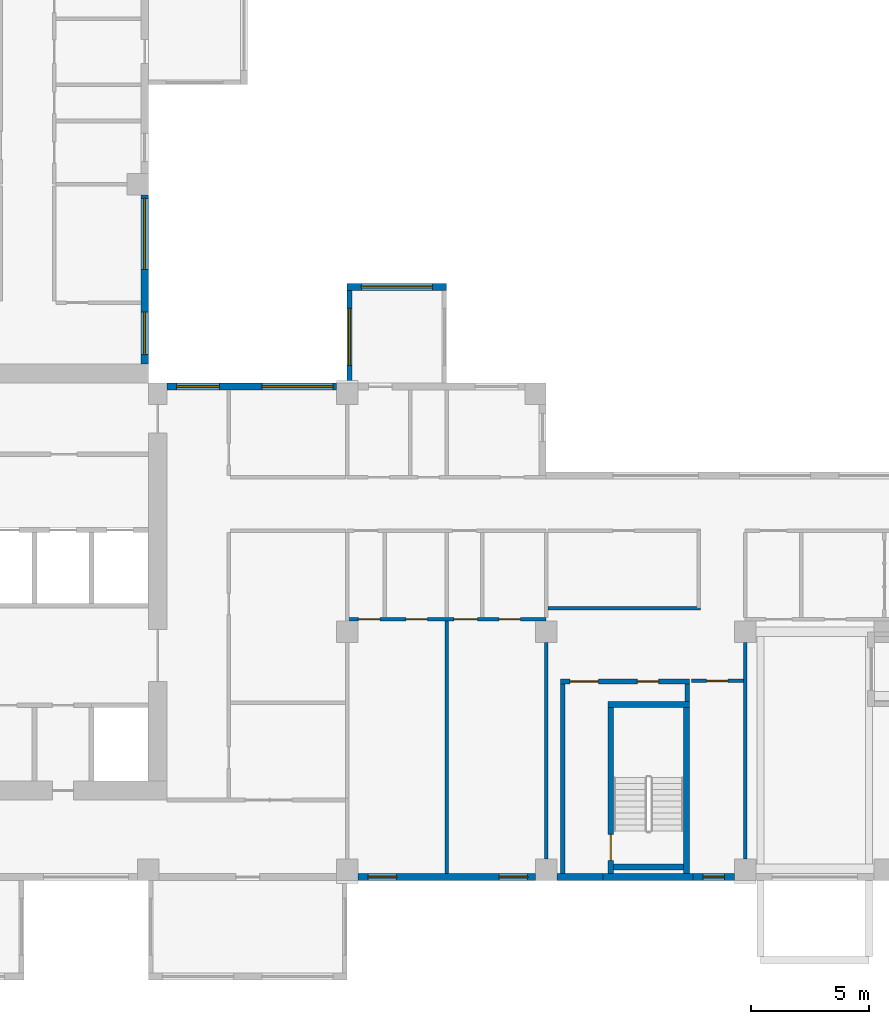
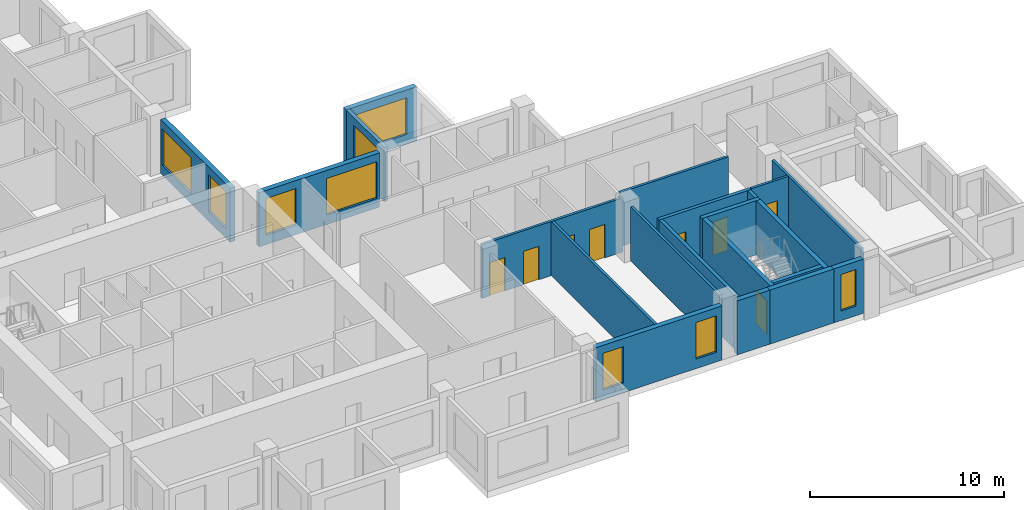
# One storey, part 4 of 12: 21 walls, 9 windows, 8 doors, 17 openings.
"""IFC4 building model written with IfcOpenShell, lengths in metres."""

from ifc_helpers import new_model, si_unit, direction, frame, frame_2d, origin, place, context, subcontext, project, spatial, rectangle, extrude, source, transform, mapped, material, layer, layer_set, type_object, element, fill, save


model = new_model("IFC4")

# Units and contexts
model_context = context("Model", 3, precision=1e-05, world=origin(), true_north=direction((0.0, 1.0)))
body_context = subcontext(model_context, "Body", "Model", "MODEL_VIEW")
ifc_project = project(units=[si_unit("LENGTHUNIT", "METRE"), si_unit("AREAUNIT", "SQUARE_METRE"), si_unit("VOLUMEUNIT", "CUBIC_METRE"), si_unit("PLANEANGLEUNIT", "RADIAN"), si_unit("MASSUNIT", "GRAM", prefix="KILO")], contexts=[model_context])

# Site, building, storey
site_placement = place(None, origin())
site = spatial("IfcSite", under=ifc_project, at=site_placement, CompositionType="ELEMENT")
building_placement = place(site_placement, origin())
building = spatial("IfcBuilding", under=site, at=building_placement, Name="Aurelian Terraces", CompositionType="ELEMENT")
storey_placement = place(building_placement, frame((0.0, 0.0, 219.6)))
storey = spatial("IfcBuildingStorey", under=building, at=storey_placement, Name="L49", CompositionType="ELEMENT", Elevation=219.6)

# Wall, openings, windows
ifc_material_1 = material(Name="Terracotta rainscreen cladding", Category="masonry")
ifc_layer_1 = layer(ifc_material_1, 0.3)
ifc_layer_set_1 = layer_set([ifc_layer_1], Name="EW-300")
wall_type_1 = type_object("IfcWallType", Name="EW-300", PredefinedType="STANDARD", material=ifc_layer_set_1)
shared_shape_1 = source(origin(), body_context, "Body", "SweptSolid", [
    extrude(rectangle(XDim=7.15, YDim=0.3, at=frame_2d((3.575, 0.0))), origin(), (0.0, 0.0, 1.0), 3.4),
])
wall_1_placement = place(storey_placement, frame((28.95, 20.85, 0.0), z_axis=(0.0, 0.0, 1.0), x_axis=(-1.0, 0.0, 0.0)))
wall_1 = element("IfcWall", 1, at=wall_1_placement, inside=storey, type_object=wall_type_1, Name="External wall L49 F07.16", PredefinedType="STANDARD", context=body_context, shape_type="MappedRepresentation", body=[
    mapped(shared_shape_1, transform((0.0, 0.0, 0.0), scale=1.0)),
])
shared_shape_2 = source(origin(), body_context, "Body", "SweptSolid", [
    extrude(rectangle(XDim=3.0, YDim=2.3, at=frame_2d((1.5, 1.15))), frame((0.0, 0.16, 0.0), z_axis=(0.0, -1.0, 0.0), x_axis=(1.0, 0.0, 0.0)), (0.0, 0.0, 1.0), 0.32),
])
opening_1_placement = place(wall_1_placement, frame((0.15, 0.0, 0.6)))
opening_1 = element("IfcOpeningElement", 2, at=opening_1_placement, cuts=wall_1, Name="Opening W3023", PredefinedType="OPENING", context=body_context, shape_type="MappedRepresentation", body=[
    mapped(shared_shape_2, transform((0.0, 0.0, 0.0), scale=1.0)),
])
shared_shape_3 = source(origin(), body_context, "Body", "SweptSolid", [
    extrude(rectangle(XDim=1.8, YDim=2.3, at=frame_2d((0.9, 1.15))), frame((0.0, 0.16, 0.0), z_axis=(0.0, -1.0, 0.0), x_axis=(1.0, 0.0, 0.0)), (0.0, 0.0, 1.0), 0.32),
])
opening_2_placement = place(wall_1_placement, frame((4.95, 0.0, 0.6)))
opening_2 = element("IfcOpeningElement", 3, at=opening_2_placement, cuts=wall_1, Name="Opening W1823", PredefinedType="OPENING", context=body_context, shape_type="MappedRepresentation", body=[
    mapped(shared_shape_3, transform((0.0, 0.0, 0.0), scale=1.0)),
])
ifc_material_2 = material(Name="Clear glazing", Category="glass")
window_type_1 = type_object("IfcWindowType", Name="W-3000x2300", PartitioningType="SINGLE_PANEL", PredefinedType="WINDOW", material=ifc_material_2)
shared_shape_4 = source(origin(), body_context, "Body", "SweptSolid", [
    extrude(rectangle(XDim=3.0, YDim=2.3, at=frame_2d((1.5, 1.15))), frame((0.0, 0.03, 0.0), z_axis=(0.0, -1.0, 0.0), x_axis=(1.0, 0.0, 0.0)), (0.0, 0.0, 1.0), 0.06),
])
window_1_placement = place(opening_1_placement, origin())
window_1 = element("IfcWindow", 4, at=window_1_placement, inside=storey, type_object=window_type_1, Name="Window L49 L49-F07-16-0", OverallHeight=2.3, OverallWidth=3.0, PartitioningType="SINGLE_PANEL", PredefinedType="WINDOW", context=body_context, shape_type="MappedRepresentation", body=[
    mapped(shared_shape_4, transform((0.0, 0.0, 0.0), scale=1.0)),
])
fill(opening_1, window_1)
window_type_2 = type_object("IfcWindowType", Name="W-1800x2300", PartitioningType="SINGLE_PANEL", PredefinedType="WINDOW", material=ifc_material_2)
shared_shape_5 = source(origin(), body_context, "Body", "SweptSolid", [
    extrude(rectangle(XDim=1.8, YDim=2.3, at=frame_2d((0.9, 1.15))), frame((0.0, 0.03, 0.0), z_axis=(0.0, -1.0, 0.0), x_axis=(1.0, 0.0, 0.0)), (0.0, 0.0, 1.0), 0.06),
])
window_2_placement = place(opening_2_placement, origin())
window_2 = element("IfcWindow", 5, at=window_2_placement, inside=storey, type_object=window_type_2, Name="Window L49 L49-F07-16-1", OverallHeight=2.3, OverallWidth=1.8, PartitioningType="SINGLE_PANEL", PredefinedType="WINDOW", context=body_context, shape_type="MappedRepresentation", body=[
    mapped(shared_shape_5, transform((0.0, 0.0, 0.0), scale=1.0)),
])
fill(opening_2, window_2)

wall_2_placement = place(storey_placement, frame((20.85, 21.8, 0.0), z_axis=(0.0, 0.0, 1.0), x_axis=(0.0, 1.0, 0.0)))
wall_2 = element("IfcWall", 6, at=wall_2_placement, inside=storey, type_object=wall_type_1, Name="External wall L49 F08.17", PredefinedType="STANDARD", context=body_context, shape_type="MappedRepresentation", body=[
    mapped(shared_shape_1, transform((0.0, 0.0, 0.0), scale=1.0)),
])
opening_3_placement = place(wall_2_placement, frame((0.4, 0.0, 0.6)))
opening_3 = element("IfcOpeningElement", 7, at=opening_3_placement, cuts=wall_2, Name="Opening W1823", PredefinedType="OPENING", context=body_context, shape_type="MappedRepresentation", body=[
    mapped(shared_shape_3, transform((0.0, 0.0, 0.0), scale=1.0)),
])
opening_4_placement = place(wall_2_placement, frame((4.0, 0.0, 0.6)))
opening_4 = element("IfcOpeningElement", 8, at=opening_4_placement, cuts=wall_2, Name="Opening W3023", PredefinedType="OPENING", context=body_context, shape_type="MappedRepresentation", body=[
    mapped(shared_shape_2, transform((0.0, 0.0, 0.0), scale=1.0)),
])
window_3_placement = place(opening_4_placement, origin())
window_3 = element("IfcWindow", 9, at=window_3_placement, inside=storey, type_object=window_type_1, Name="Window L49 L49-F08-17-1", OverallHeight=2.3, OverallWidth=3.0, PartitioningType="SINGLE_PANEL", PredefinedType="WINDOW", context=body_context, shape_type="MappedRepresentation", body=[
    mapped(shared_shape_4, transform((0.0, 0.0, 0.0), scale=1.0)),
])
fill(opening_4, window_3)
window_4_placement = place(opening_3_placement, origin())
window_4 = element("IfcWindow", 10, at=window_4_placement, inside=storey, type_object=window_type_2, Name="Window L49 L49-F08-17-0", OverallHeight=2.3, OverallWidth=1.8, PartitioningType="SINGLE_PANEL", PredefinedType="WINDOW", context=body_context, shape_type="MappedRepresentation", body=[
    mapped(shared_shape_5, transform((0.0, 0.0, 0.0), scale=1.0)),
])
fill(opening_3, window_4)

shared_shape_6 = source(origin(), body_context, "Body", "SweptSolid", [
    extrude(rectangle(XDim=7.5, YDim=0.3, at=frame_2d((3.75, 0.0))), origin(), (0.0, 0.0, 1.0), 3.4),
])
wall_3_placement = place(storey_placement, frame((29.85, 0.15, 0.0), z_axis=(0.0, 0.0, 1.0), x_axis=(1.0, 0.0, 0.0)))
wall_3 = element("IfcWall", 11, at=wall_3_placement, inside=storey, type_object=wall_type_1, Name="External wall L49 F01.4", PredefinedType="STANDARD", context=body_context, shape_type="MappedRepresentation", body=[
    mapped(shared_shape_6, transform((0.0, 0.0, 0.0), scale=1.0)),
])
shared_shape_7 = source(origin(), body_context, "Body", "SweptSolid", [
    extrude(rectangle(XDim=1.2, YDim=2.3, at=frame_2d((0.6, 1.15))), frame((0.0, 0.16, 0.0), z_axis=(0.0, -1.0, 0.0), x_axis=(1.0, 0.0, 0.0)), (0.0, 0.0, 1.0), 0.32),
])
opening_5_placement = place(wall_3_placement, frame((0.4375, 0.0, 0.6)))
opening_5 = element("IfcOpeningElement", 12, at=opening_5_placement, cuts=wall_3, Name="Opening W1223", PredefinedType="OPENING", context=body_context, shape_type="MappedRepresentation", body=[
    mapped(shared_shape_7, transform((0.0, 0.0, 0.0), scale=1.0)),
])
opening_6_placement = place(wall_3_placement, frame((5.9625, 0.0, 0.6)))
opening_6 = element("IfcOpeningElement", 13, at=opening_6_placement, cuts=wall_3, Name="Opening W1223", PredefinedType="OPENING", context=body_context, shape_type="MappedRepresentation", body=[
    mapped(shared_shape_7, transform((0.0, 0.0, 0.0), scale=1.0)),
])
window_type_3 = type_object("IfcWindowType", Name="W-1200x2300", PartitioningType="SINGLE_PANEL", PredefinedType="WINDOW", material=ifc_material_2)
shared_shape_8 = source(origin(), body_context, "Body", "SweptSolid", [
    extrude(rectangle(XDim=1.2, YDim=2.3, at=frame_2d((0.6, 1.15))), frame((0.0, 0.03, 0.0), z_axis=(0.0, -1.0, 0.0), x_axis=(1.0, 0.0, 0.0)), (0.0, 0.0, 1.0), 0.06),
])
window_5_placement = place(opening_5_placement, origin())
window_5 = element("IfcWindow", 14, at=window_5_placement, inside=storey, type_object=window_type_3, Name="Window L49 L49-F01-04-0", OverallHeight=2.3, OverallWidth=1.2, PartitioningType="SINGLE_PANEL", PredefinedType="WINDOW", context=body_context, shape_type="MappedRepresentation", body=[
    mapped(shared_shape_8, transform((0.0, 0.0, 0.0), scale=1.0)),
])
fill(opening_5, window_5)
window_6_placement = place(opening_6_placement, origin())
window_6 = element("IfcWindow", 15, at=window_6_placement, inside=storey, type_object=window_type_3, Name="Window L49 L49-F01-04-1", OverallHeight=2.3, OverallWidth=1.2, PartitioningType="SINGLE_PANEL", PredefinedType="WINDOW", context=body_context, shape_type="MappedRepresentation", body=[
    mapped(shared_shape_8, transform((0.0, 0.0, 0.0), scale=1.0)),
])
fill(opening_6, window_6)

# Wall, opening, window
ifc_material_3 = material(Name="Concrete fc' 40 MPa", Category="concrete")
ifc_layer_2 = layer(ifc_material_3, 0.2)
ifc_layer_set_2 = layer_set([ifc_layer_2], Name="BOX BEARING WALL 200")
wall_type_2 = type_object("IfcWallType", Name="BOX BEARING WALL 200", PredefinedType="SOLIDWALL", material=ifc_layer_set_2)
shared_shape_9 = source(origin(), body_context, "Body", "SweptSolid", [
    extrude(rectangle(XDim=3.9, YDim=0.2, at=frame_2d((1.95, 0.0))), origin(), (0.0, 0.0, 1.0), 3.4),
])
wall_4_placement = place(storey_placement, frame((29.5, 21.0, 0.0), z_axis=(0.0, 0.0, 1.0), x_axis=(0.0, 1.0, 0.0)))
wall_4 = element("IfcWall", 16, at=wall_4_placement, inside=storey, type_object=wall_type_2, Name="Box return L49 J69.2", PredefinedType="SOLIDWALL", context=body_context, shape_type="MappedRepresentation", body=[
    mapped(shared_shape_9, transform((0.0, 0.0, 0.0), scale=1.0)),
])
shared_shape_10 = source(origin(), body_context, "Body", "SweptSolid", [
    extrude(rectangle(XDim=2.4, YDim=2.3, at=frame_2d((1.2, 1.15))), frame((0.0, 0.11, 0.0), z_axis=(0.0, -1.0, 0.0), x_axis=(1.0, 0.0, 0.0)), (0.0, 0.0, 1.0), 0.22),
])
opening_7_placement = place(wall_4_placement, frame((0.75, 0.0, 0.6)))
opening_7 = element("IfcOpeningElement", 17, at=opening_7_placement, cuts=wall_4, Name="Opening W2423", PredefinedType="OPENING", context=body_context, shape_type="MappedRepresentation", body=[
    mapped(shared_shape_10, transform((0.0, 0.0, 0.0), scale=1.0)),
])
window_type_4 = type_object("IfcWindowType", Name="W-2400x2300", PartitioningType="SINGLE_PANEL", PredefinedType="WINDOW", material=ifc_material_2)
shared_shape_11 = source(origin(), body_context, "Body", "SweptSolid", [
    extrude(rectangle(XDim=2.4, YDim=2.3, at=frame_2d((1.2, 1.15))), frame((0.0, 0.03, 0.0), z_axis=(0.0, -1.0, 0.0), x_axis=(1.0, 0.0, 0.0)), (0.0, 0.0, 1.0), 0.06),
])
window_7_placement = place(opening_7_placement, origin())
window_7 = element("IfcWindow", 18, at=window_7_placement, inside=storey, type_object=window_type_4, Name="Window L49 J69-S2", OverallHeight=2.3, OverallWidth=2.4, PartitioningType="SINGLE_PANEL", PredefinedType="WINDOW", context=body_context, shape_type="MappedRepresentation", body=[
    mapped(shared_shape_11, transform((0.0, 0.0, 0.0), scale=1.0)),
])
fill(opening_7, window_7)

ifc_layer_3 = layer(ifc_material_3, 0.3)
ifc_layer_set_3 = layer_set([ifc_layer_3], Name="BOX BEARING WALL 300")
wall_type_3 = type_object("IfcWallType", Name="BOX BEARING WALL 300", PredefinedType="SOLIDWALL", material=ifc_layer_set_3)
shared_shape_12 = source(origin(), body_context, "Body", "SweptSolid", [
    extrude(rectangle(XDim=4.2, YDim=0.3, at=frame_2d((2.1, 0.0))), origin(), (0.0, 0.0, 1.0), 3.4),
])
wall_5_placement = place(storey_placement, frame((33.6, 25.05, 0.0), z_axis=(0.0, 0.0, 1.0), x_axis=(-1.0, 0.0, 0.0)))
wall_5 = element("IfcWall", 19, at=wall_5_placement, inside=storey, type_object=wall_type_3, Name="Box wall L49 J69", PredefinedType="SOLIDWALL", context=body_context, shape_type="MappedRepresentation", body=[
    mapped(shared_shape_12, transform((0.0, 0.0, 0.0), scale=1.0)),
])
opening_8_placement = place(wall_5_placement, frame((0.6, 0.0, 0.6)))
opening_8 = element("IfcOpeningElement", 20, at=opening_8_placement, cuts=wall_5, Name="Opening W3023", PredefinedType="OPENING", context=body_context, shape_type="MappedRepresentation", body=[
    mapped(shared_shape_2, transform((0.0, 0.0, 0.0), scale=1.0)),
])
window_8_placement = place(opening_8_placement, origin())
window_8 = element("IfcWindow", 21, at=window_8_placement, inside=storey, type_object=window_type_1, Name="Window L49 J69-F1", OverallHeight=2.3, OverallWidth=3.0, PartitioningType="SINGLE_PANEL", PredefinedType="WINDOW", context=body_context, shape_type="MappedRepresentation", body=[
    mapped(shared_shape_4, transform((0.0, 0.0, 0.0), scale=1.0)),
])
fill(opening_8, window_8)

# Walls
shared_shape_13 = source(origin(), body_context, "Body", "SweptSolid", [
    extrude(rectangle(XDim=1.95, YDim=0.3, at=frame_2d((0.975, 0.0))), origin(), (0.0, 0.0, 1.0), 3.4),
])
wall_6_placement = place(storey_placement, frame((38.25, 0.15, 0.0), z_axis=(0.0, 0.0, 1.0), x_axis=(1.0, 0.0, 0.0)))
element("IfcWall", 22, at=wall_6_placement, inside=storey, type_object=wall_type_1, Name="External wall L49 F01.5", PredefinedType="STANDARD", context=body_context, shape_type="MappedRepresentation", body=[
    mapped(shared_shape_13, transform((0.0, 0.0, 0.0), scale=1.0)),
])
ifc_layer_4 = layer(ifc_material_3, 0.3)
ifc_layer_set_4 = layer_set([ifc_layer_4], Name="STAIR BAY WALL 300")
wall_type_4 = type_object("IfcWallType", Name="STAIR BAY WALL 300", PredefinedType="SOLIDWALL", material=ifc_layer_set_4)
shared_shape_14 = source(origin(), body_context, "Body", "SweptSolid", [
    extrude(rectangle(XDim=3.8, YDim=0.3, at=frame_2d((1.9, 0.0))), origin(), (0.0, 0.0, 1.0), 3.4),
])
wall_7_placement = place(storey_placement, frame((40.2, 0.15, 0.0), z_axis=(0.0, 0.0, 1.0), x_axis=(1.0, 0.0, 0.0)))
element("IfcWall", 23, at=wall_7_placement, inside=storey, type_object=wall_type_4, Name="Stair bay wall L49 F01.5", PredefinedType="SOLIDWALL", context=body_context, shape_type="MappedRepresentation", body=[
    mapped(shared_shape_14, transform((0.0, 0.0, 0.0), scale=1.0)),
])

# Wall, opening, window
shared_shape_15 = source(origin(), body_context, "Body", "SweptSolid", [
    extrude(rectangle(XDim=1.75, YDim=0.3, at=frame_2d((0.875, 0.0))), origin(), (0.0, 0.0, 1.0), 3.4),
])
wall_8_placement = place(storey_placement, frame((44.0, 0.15, 0.0), z_axis=(0.0, 0.0, 1.0), x_axis=(1.0, 0.0, 0.0)))
wall_8 = element("IfcWall", 24, at=wall_8_placement, inside=storey, type_object=wall_type_1, Name="External wall L49 F01.5", PredefinedType="STANDARD", context=body_context, shape_type="MappedRepresentation", body=[
    mapped(shared_shape_15, transform((0.0, 0.0, 0.0), scale=1.0)),
])
shared_shape_16 = source(origin(), body_context, "Body", "SweptSolid", [
    extrude(rectangle(XDim=0.9, YDim=2.3, at=frame_2d((0.45, 1.15))), frame((0.0, 0.16, 0.0), z_axis=(0.0, -1.0, 0.0), x_axis=(1.0, 0.0, 0.0)), (0.0, 0.0, 1.0), 0.32),
])
opening_9_placement = place(wall_8_placement, frame((0.425, 0.0, 0.6)))
opening_9 = element("IfcOpeningElement", 25, at=opening_9_placement, cuts=wall_8, Name="Opening W0923", PredefinedType="OPENING", context=body_context, shape_type="MappedRepresentation", body=[
    mapped(shared_shape_16, transform((0.0, 0.0, 0.0), scale=1.0)),
])
window_type_5 = type_object("IfcWindowType", Name="W-900x2300", PartitioningType="SINGLE_PANEL", PredefinedType="WINDOW", material=ifc_material_2)
shared_shape_17 = source(origin(), body_context, "Body", "SweptSolid", [
    extrude(rectangle(XDim=0.9, YDim=2.3, at=frame_2d((0.45, 1.15))), frame((0.0, 0.03, 0.0), z_axis=(0.0, -1.0, 0.0), x_axis=(1.0, 0.0, 0.0)), (0.0, 0.0, 1.0), 0.06),
])
window_9_placement = place(opening_9_placement, origin())
window_9 = element("IfcWindow", 26, at=window_9_placement, inside=storey, type_object=window_type_5, Name="Window L49 L49-F01-05-P2", OverallHeight=2.3, OverallWidth=0.9, PartitioningType="SINGLE_PANEL", PredefinedType="WINDOW", context=body_context, shape_type="MappedRepresentation", body=[
    mapped(shared_shape_17, transform((0.0, 0.0, 0.0), scale=1.0)),
])
fill(opening_9, window_9)

# Wall, opening, door
ifc_layer_5 = layer(ifc_material_3, 0.25)
ifc_layer_set_5 = layer_set([ifc_layer_5], Name="Stair enclosure wall 250")
wall_type_5 = type_object("IfcWallType", Name="Stair enclosure wall 250", PredefinedType="SOLIDWALL", material=ifc_layer_set_5)
shared_shape_18 = source(origin(), body_context, "Body", "SweptSolid", [
    extrude(rectangle(XDim=7.0, YDim=0.25, at=frame_2d((3.5, 0.0))), origin(), (0.0, 0.0, 1.0), 3.4),
])
wall_9_placement = place(storey_placement, frame((40.525, 0.3, 0.0), z_axis=(0.0, 0.0, 1.0), x_axis=(0.0, 1.0, 0.0)))
wall_9 = element("IfcWall", 27, at=wall_9_placement, inside=storey, type_object=wall_type_5, Name="L49 core wall ST-S2-W", PredefinedType="SOLIDWALL", context=body_context, shape_type="MappedRepresentation", body=[
    mapped(shared_shape_18, transform((0.0, 0.0, 0.0), scale=1.0)),
])
shared_shape_19 = source(origin(), body_context, "Body", "SweptSolid", [
    extrude(rectangle(XDim=1.1, YDim=2.1, at=frame_2d((0.55, 1.05))), frame((0.0, 0.135, 0.0), z_axis=(0.0, -1.0, 0.0), x_axis=(1.0, 0.0, 0.0)), (0.0, 0.0, 1.0), 0.27),
])
opening_10_placement = place(wall_9_placement, frame((0.55, 0.0, 0.0)))
opening_10 = element("IfcOpeningElement", 28, at=opening_10_placement, cuts=wall_9, Name="Opening 65217", PredefinedType="OPENING", context=body_context, shape_type="MappedRepresentation", body=[
    mapped(shared_shape_19, transform((0.0, 0.0, 0.0), scale=1.0)),
])
ifc_material_4 = material(Name="Steel door leaf", Category="steel")
door_type_1 = type_object("IfcDoorType", Name="Core fire door 1100x2100 right", OperationType="SINGLE_SWING_RIGHT", PredefinedType="DOOR", material=ifc_material_4)
shared_shape_20 = source(origin(), body_context, "Body", "SweptSolid", [
    extrude(rectangle(XDim=1.1, YDim=2.1, at=frame_2d((0.55, 1.05))), frame((0.0, 0.025, 0.0), z_axis=(0.0, -1.0, 0.0), x_axis=(1.0, 0.0, 0.0)), (0.0, 0.0, 1.0), 0.05),
])
door_1_placement = place(opening_10_placement, origin())
door_1 = element("IfcDoor", 29, at=door_1_placement, inside=storey, type_object=door_type_1, Name="Stair door 65217", OperationType="SINGLE_SWING_RIGHT", OverallHeight=2.1, OverallWidth=1.1, PredefinedType="DOOR", context=body_context, shape_type="MappedRepresentation", body=[
    mapped(shared_shape_20, transform((0.0, 0.0, 0.0), scale=1.0)),
])
fill(opening_10, door_1)

# Walls
wall_10_placement = place(storey_placement, frame((43.725, 0.3, 0.0), z_axis=(0.0, 0.0, 1.0), x_axis=(0.0, 1.0, 0.0)))
element("IfcWall", 30, at=wall_10_placement, inside=storey, type_object=wall_type_5, Name="L49 core wall ST-S2-E", PredefinedType="SOLIDWALL", context=body_context, shape_type="MappedRepresentation", body=[
    mapped(shared_shape_18, transform((0.0, 0.0, 0.0), scale=1.0)),
])
shared_shape_21 = source(origin(), body_context, "Body", "SweptSolid", [
    extrude(rectangle(XDim=3.45, YDim=0.25, at=frame_2d((1.725, 0.0))), origin(), (0.0, 0.0, 1.0), 3.4),
])
wall_11_placement = place(storey_placement, frame((40.4, 7.425, 0.0), z_axis=(0.0, 0.0, 1.0), x_axis=(1.0, 0.0, 0.0)))
element("IfcWall", 31, at=wall_11_placement, inside=storey, type_object=wall_type_5, Name="L49 core wall ST-S2-N", PredefinedType="SOLIDWALL", context=body_context, shape_type="MappedRepresentation", body=[
    mapped(shared_shape_21, transform((0.0, 0.0, 0.0), scale=1.0)),
])
shared_shape_22 = source(origin(), body_context, "Body", "SweptSolid", [
    extrude(rectangle(XDim=2.95, YDim=0.25, at=frame_2d((1.475, 0.0))), origin(), (0.0, 0.0, 1.0), 3.4),
])
wall_12_placement = place(storey_placement, frame((40.65, 0.575, 0.0), z_axis=(0.0, 0.0, 1.0), x_axis=(1.0, 0.0, 0.0)))
element("IfcWall", 32, at=wall_12_placement, inside=storey, type_object=wall_type_5, Name="L49 core wall ST-S2-SS", PredefinedType="SOLIDWALL", context=body_context, shape_type="MappedRepresentation", body=[
    mapped(shared_shape_22, transform((0.0, 0.0, 0.0), scale=1.0)),
])

# Wall, openings, doors
ifc_material_5 = material(Name="Gypsum board on steel studs", Category="steel")
ifc_layer_6 = layer(ifc_material_5, 0.2)
ifc_layer_set_6 = layer_set([ifc_layer_6], Name="Core partition 200")
wall_type_6 = type_object("IfcWallType", Name="Core partition 200", PredefinedType="PARTITIONING", material=ifc_layer_set_6)
shared_shape_23 = source(origin(), body_context, "Body", "SweptSolid", [
    extrude(rectangle(XDim=5.45, YDim=0.2, at=frame_2d((2.725, 0.0))), origin(), (0.0, 0.0, 1.0), 3.4),
])
wall_13_placement = place(storey_placement, frame((38.4, 8.4, 0.0), z_axis=(0.0, 0.0, 1.0), x_axis=(1.0, 0.0, 0.0)))
wall_13 = element("IfcWall", 33, at=wall_13_placement, inside=storey, type_object=wall_type_6, Name="L49 core wall ST-S2-BN", PredefinedType="PARTITIONING", context=body_context, shape_type="MappedRepresentation", body=[
    mapped(shared_shape_23, transform((0.0, 0.0, 0.0), scale=1.0)),
])
shared_shape_24 = source(origin(), body_context, "Body", "SweptSolid", [
    extrude(rectangle(XDim=1.2, YDim=2.1, at=frame_2d((0.6, 1.05))), frame((0.0, 0.11, 0.0), z_axis=(0.0, -1.0, 0.0), x_axis=(1.0, 0.0, 0.0)), (0.0, 0.0, 1.0), 0.22),
])
opening_11_placement = place(wall_13_placement, frame((0.4, 0.0, 0.0)))
opening_11 = element("IfcOpeningElement", 34, at=opening_11_placement, cuts=wall_13, Name="Opening 65218", PredefinedType="OPENING", context=body_context, shape_type="MappedRepresentation", body=[
    mapped(shared_shape_24, transform((0.0, 0.0, 0.0), scale=1.0)),
])
shared_shape_25 = source(origin(), body_context, "Body", "SweptSolid", [
    extrude(rectangle(XDim=0.9, YDim=2.1, at=frame_2d((0.45, 1.05))), frame((0.0, 0.11, 0.0), z_axis=(0.0, -1.0, 0.0), x_axis=(1.0, 0.0, 0.0)), (0.0, 0.0, 1.0), 0.22),
])
opening_12_placement = place(wall_13_placement, frame((3.25, 0.0, 0.0)))
opening_12 = element("IfcOpeningElement", 35, at=opening_12_placement, cuts=wall_13, Name="Opening 65219", PredefinedType="OPENING", context=body_context, shape_type="MappedRepresentation", body=[
    mapped(shared_shape_25, transform((0.0, 0.0, 0.0), scale=1.0)),
])
door_type_2 = type_object("IfcDoorType", Name="Core riser door 900x2100 right", OperationType="SINGLE_SWING_RIGHT", PredefinedType="DOOR", material=ifc_material_4)
shared_shape_26 = source(origin(), body_context, "Body", "SweptSolid", [
    extrude(rectangle(XDim=0.9, YDim=2.1, at=frame_2d((0.45, 1.05))), frame((0.0, 0.025, 0.0), z_axis=(0.0, -1.0, 0.0), x_axis=(1.0, 0.0, 0.0)), (0.0, 0.0, 1.0), 0.05),
])
door_2_placement = place(opening_12_placement, origin())
door_2 = element("IfcDoor", 36, at=door_2_placement, inside=storey, type_object=door_type_2, Name="Riser door 65219", OperationType="SINGLE_SWING_RIGHT", OverallHeight=2.1, OverallWidth=0.9, PredefinedType="DOOR", context=body_context, shape_type="MappedRepresentation", body=[
    mapped(shared_shape_26, transform((0.0, 0.0, 0.0), scale=1.0)),
])
fill(opening_12, door_2)
door_type_3 = type_object("IfcDoorType", Name="Core fire door 1200x2100", OperationType="SINGLE_SWING_LEFT", PredefinedType="DOOR", material=ifc_material_4)
shared_shape_27 = source(origin(), body_context, "Body", "SweptSolid", [
    extrude(rectangle(XDim=1.2, YDim=2.1, at=frame_2d((0.6, 1.05))), frame((0.0, 0.025, 0.0), z_axis=(0.0, -1.0, 0.0), x_axis=(1.0, 0.0, 0.0)), (0.0, 0.0, 1.0), 0.05),
])
door_3_placement = place(opening_11_placement, origin())
door_3 = element("IfcDoor", 37, at=door_3_placement, inside=storey, type_object=door_type_3, Name="Vestibule door 65218", OperationType="SINGLE_SWING_LEFT", OverallHeight=2.1, OverallWidth=1.2, PredefinedType="DOOR", context=body_context, shape_type="MappedRepresentation", body=[
    mapped(shared_shape_27, transform((0.0, 0.0, 0.0), scale=1.0)),
])
fill(opening_11, door_3)

# Walls
shared_shape_28 = source(origin(), body_context, "Body", "SweptSolid", [
    extrude(rectangle(XDim=0.75, YDim=0.2, at=frame_2d((0.375, 0.0))), origin(), (0.0, 0.0, 1.0), 3.4),
])
wall_14_placement = place(storey_placement, frame((43.75, 7.55, 0.0), z_axis=(0.0, 0.0, 1.0), x_axis=(0.0, 1.0, 0.0)))
element("IfcWall", 38, at=wall_14_placement, inside=storey, type_object=wall_type_6, Name="L49 core wall ST-S2-RE", PredefinedType="PARTITIONING", context=body_context, shape_type="MappedRepresentation", body=[
    mapped(shared_shape_28, transform((0.0, 0.0, 0.0), scale=1.0)),
])
shared_shape_29 = source(origin(), body_context, "Body", "SweptSolid", [
    extrude(rectangle(XDim=8.0, YDim=0.2, at=frame_2d((4.0, 0.0))), origin(), (0.0, 0.0, 1.0), 3.4),
])
wall_15_placement = place(storey_placement, frame((38.5, 0.3, 0.0), z_axis=(0.0, 0.0, 1.0), x_axis=(0.0, 1.0, 0.0)))
element("IfcWall", 39, at=wall_15_placement, inside=storey, type_object=wall_type_6, Name="L49 core wall ST-S2-VW", PredefinedType="PARTITIONING", context=body_context, shape_type="MappedRepresentation", body=[
    mapped(shared_shape_29, transform((0.0, 0.0, 0.0), scale=1.0)),
])
ifc_layer_7 = layer(ifc_material_5, 0.15)
ifc_layer_set_7 = layer_set([ifc_layer_7], Name="Partition 150")
wall_type_7 = type_object("IfcWallType", Name="Partition 150", PredefinedType="PARTITIONING", material=ifc_layer_set_7)
shared_shape_30 = source(origin(), body_context, "Body", "SweptSolid", [
    extrude(rectangle(XDim=6.45, YDim=0.15, at=frame_2d((3.225, 0.0))), origin(), (0.0, 0.0, 1.0), 3.4),
])
wall_16_placement = place(storey_placement, frame((37.875, 11.5, 0.0), z_axis=(0.0, 0.0, 1.0), x_axis=(1.0, 0.0, 0.0)))
element("IfcWall", 40, at=wall_16_placement, inside=storey, type_object=wall_type_7, Name="Partition", PredefinedType="PARTITIONING", context=body_context, shape_type="MappedRepresentation", body=[
    mapped(shared_shape_30, transform((0.0, 0.0, 0.0), scale=1.0)),
])
ifc_layer_8 = layer(ifc_material_5, 0.15)
ifc_layer_set_8 = layer_set([ifc_layer_8], Name="Fire partition 150")
wall_type_8 = type_object("IfcWallType", Name="Fire partition 150", PredefinedType="PARTITIONING", material=ifc_layer_set_8)
shared_shape_31 = source(origin(), body_context, "Body", "SweptSolid", [
    extrude(rectangle(XDim=9.152, YDim=0.15, at=frame_2d((4.576, 0.0))), origin(), (0.0, 0.0, 1.0), 3.4),
])
for number, where, z_axis, x_axis, name in (
    (41, (37.8, 0.899, 0.0), (0.0, 0.0, 1.0), (0.0, 1.0, 0.0), "Party wall"),
    (42, (46.2, 0.899, 0.0), (0.0, 0.0, 1.0), (0.0, 1.0, 0.0), "Party wall"),
):
    element("IfcWall", number, at=place(storey_placement, frame(where, z_axis=z_axis, x_axis=x_axis)), inside=storey, type_object=wall_type_8, Name=name, PredefinedType="PARTITIONING", context=body_context, shape_type="MappedRepresentation", body=[
        mapped(shared_shape_31, transform((0.0, 0.0, 0.0), scale=1.0)),
    ])

# Wall, openings, doors
shared_shape_32 = source(origin(), body_context, "Body", "SweptSolid", [
    extrude(rectangle(XDim=8.4, YDim=0.15, at=frame_2d((4.2, 0.0))), origin(), (0.0, 0.0, 1.0), 3.4),
])
wall_17_placement = place(storey_placement, frame((37.8, 11.025, 0.0), z_axis=(0.0, 0.0, 1.0), x_axis=(-1.0, 0.0, 0.0)))
wall_17 = element("IfcWall", 43, at=wall_17_placement, inside=storey, type_object=wall_type_7, Name="Partition", PredefinedType="PARTITIONING", context=body_context, shape_type="MappedRepresentation", body=[
    mapped(shared_shape_32, transform((0.0, 0.0, 0.0), scale=1.0)),
])
shared_shape_33 = source(origin(), body_context, "Body", "SweptSolid", [
    extrude(rectangle(XDim=0.9, YDim=2.1, at=frame_2d((0.45, 1.05))), frame((0.0, 0.085, 0.0), z_axis=(0.0, -1.0, 0.0), x_axis=(1.0, 0.0, 0.0)), (0.0, 0.0, 1.0), 0.17),
])
opening_13_placement = place(wall_17_placement, frame((7.025, 0.0, 0.0)))
opening_13 = element("IfcOpeningElement", 44, at=opening_13_placement, cuts=wall_17, Name="Opening 749008", PredefinedType="OPENING", context=body_context, shape_type="MappedRepresentation", body=[
    mapped(shared_shape_33, transform((0.0, 0.0, 0.0), scale=1.0)),
])
opening_14_placement = place(wall_17_placement, frame((5.0125, 0.0, 0.0)))
opening_14 = element("IfcOpeningElement", 45, at=opening_14_placement, cuts=wall_17, Name="Opening 749009", PredefinedType="OPENING", context=body_context, shape_type="MappedRepresentation", body=[
    mapped(shared_shape_33, transform((0.0, 0.0, 0.0), scale=1.0)),
])
shared_shape_34 = source(origin(), body_context, "Body", "SweptSolid", [
    extrude(rectangle(XDim=1.0, YDim=2.1, at=frame_2d((0.5, 1.05))), frame((0.0, 0.085, 0.0), z_axis=(0.0, -1.0, 0.0), x_axis=(1.0, 0.0, 0.0)), (0.0, 0.0, 1.0), 0.17),
])
opening_15_placement = place(wall_17_placement, frame((2.9, 0.0, 0.0)))
opening_15 = element("IfcOpeningElement", 46, at=opening_15_placement, cuts=wall_17, Name="Opening 749011", PredefinedType="OPENING", context=body_context, shape_type="MappedRepresentation", body=[
    mapped(shared_shape_34, transform((0.0, 0.0, 0.0), scale=1.0)),
])
opening_16_placement = place(wall_17_placement, frame((1.0875, 0.0, 0.0)))
opening_16 = element("IfcOpeningElement", 47, at=opening_16_placement, cuts=wall_17, Name="Opening 749012", PredefinedType="OPENING", context=body_context, shape_type="MappedRepresentation", body=[
    mapped(shared_shape_33, transform((0.0, 0.0, 0.0), scale=1.0)),
])
ifc_material_6 = material(Name="Timber door leaf", Category="wood")
door_type_4 = type_object("IfcDoorType", Name="Room door 1000x2100 left", OperationType="SINGLE_SWING_LEFT", PredefinedType="DOOR", material=ifc_material_6)
shared_shape_35 = source(origin(), body_context, "Body", "SweptSolid", [
    extrude(rectangle(XDim=1.0, YDim=2.1, at=frame_2d((0.5, 1.05))), frame((0.0, 0.025, 0.0), z_axis=(0.0, -1.0, 0.0), x_axis=(1.0, 0.0, 0.0)), (0.0, 0.0, 1.0), 0.05),
])
door_4_placement = place(opening_15_placement, origin())
door_4 = element("IfcDoor", 48, at=door_4_placement, inside=storey, type_object=door_type_4, Name="Door 749011", OperationType="SINGLE_SWING_LEFT", OverallHeight=2.1, OverallWidth=1.0, PredefinedType="DOOR", context=body_context, shape_type="MappedRepresentation", body=[
    mapped(shared_shape_35, transform((0.0, 0.0, 0.0), scale=1.0)),
])
fill(opening_15, door_4)
door_type_5 = type_object("IfcDoorType", Name="Room door 900x2100 right", OperationType="SINGLE_SWING_RIGHT", PredefinedType="DOOR", material=ifc_material_6)
door_5_placement = place(opening_13_placement, origin())
door_5 = element("IfcDoor", 49, at=door_5_placement, inside=storey, type_object=door_type_5, Name="Door 749008", OperationType="SINGLE_SWING_RIGHT", OverallHeight=2.1, OverallWidth=0.9, PredefinedType="DOOR", context=body_context, shape_type="MappedRepresentation", body=[
    mapped(shared_shape_26, transform((0.0, 0.0, 0.0), scale=1.0)),
])
fill(opening_13, door_5)
door_type_6 = type_object("IfcDoorType", Name="Room door 900x2100 left", OperationType="SINGLE_SWING_LEFT", PredefinedType="DOOR", material=ifc_material_6)
door_6_placement = place(opening_14_placement, origin())
door_6 = element("IfcDoor", 50, at=door_6_placement, inside=storey, type_object=door_type_6, Name="Door 749009", OperationType="SINGLE_SWING_LEFT", OverallHeight=2.1, OverallWidth=0.9, PredefinedType="DOOR", context=body_context, shape_type="MappedRepresentation", body=[
    mapped(shared_shape_26, transform((0.0, 0.0, 0.0), scale=1.0)),
])
fill(opening_14, door_6)
door_7_placement = place(opening_16_placement, origin())
door_7 = element("IfcDoor", 51, at=door_7_placement, inside=storey, type_object=door_type_5, Name="Door 749012", OperationType="SINGLE_SWING_RIGHT", OverallHeight=2.1, OverallWidth=0.9, PredefinedType="DOOR", context=body_context, shape_type="MappedRepresentation", body=[
    mapped(shared_shape_26, transform((0.0, 0.0, 0.0), scale=1.0)),
])
fill(opening_16, door_7)

# Wall, opening, door
shared_shape_36 = source(origin(), body_context, "Body", "SweptSolid", [
    extrude(rectangle(XDim=2.2, YDim=0.15, at=frame_2d((1.1, 0.0))), origin(), (0.0, 0.0, 1.0), 3.4),
])
wall_18_placement = place(storey_placement, frame((46.125, 8.425, 0.0), z_axis=(0.0, 0.0, 1.0), x_axis=(-1.0, 0.0, 0.0)))
wall_18 = element("IfcWall", 52, at=wall_18_placement, inside=storey, type_object=wall_type_7, Name="Partition", PredefinedType="PARTITIONING", context=body_context, shape_type="MappedRepresentation", body=[
    mapped(shared_shape_36, transform((0.0, 0.0, 0.0), scale=1.0)),
])
opening_17_placement = place(wall_18_placement, frame((0.65, 0.0, 0.0)))
opening_17 = element("IfcOpeningElement", 53, at=opening_17_placement, cuts=wall_18, Name="Opening 749006", PredefinedType="OPENING", context=body_context, shape_type="MappedRepresentation", body=[
    mapped(shared_shape_33, transform((0.0, 0.0, 0.0), scale=1.0)),
])
door_8_placement = place(opening_17_placement, origin())
door_8 = element("IfcDoor", 54, at=door_8_placement, inside=storey, type_object=door_type_5, Name="Door 749006", OperationType="SINGLE_SWING_RIGHT", OverallHeight=2.1, OverallWidth=0.9, PredefinedType="DOOR", context=body_context, shape_type="MappedRepresentation", body=[
    mapped(shared_shape_26, transform((0.0, 0.0, 0.0), scale=1.0)),
])
fill(opening_17, door_8)

# Wall
shared_shape_37 = source(origin(), body_context, "Body", "SweptSolid", [
    extrude(rectangle(XDim=10.65, YDim=0.15, at=frame_2d((5.325, 0.0))), origin(), (0.0, 0.0, 1.0), 3.4),
])
wall_19_placement = place(storey_placement, frame((33.6, 0.3, 0.0), z_axis=(0.0, 0.0, 1.0), x_axis=(0.0, 1.0, 0.0)))
element("IfcWall", 55, at=wall_19_placement, inside=storey, type_object=wall_type_7, Name="Partition", PredefinedType="PARTITIONING", context=body_context, shape_type="MappedRepresentation", body=[
    mapped(shared_shape_37, transform((0.0, 0.0, 0.0), scale=1.0)),
])

save(model, "model.ifc")
